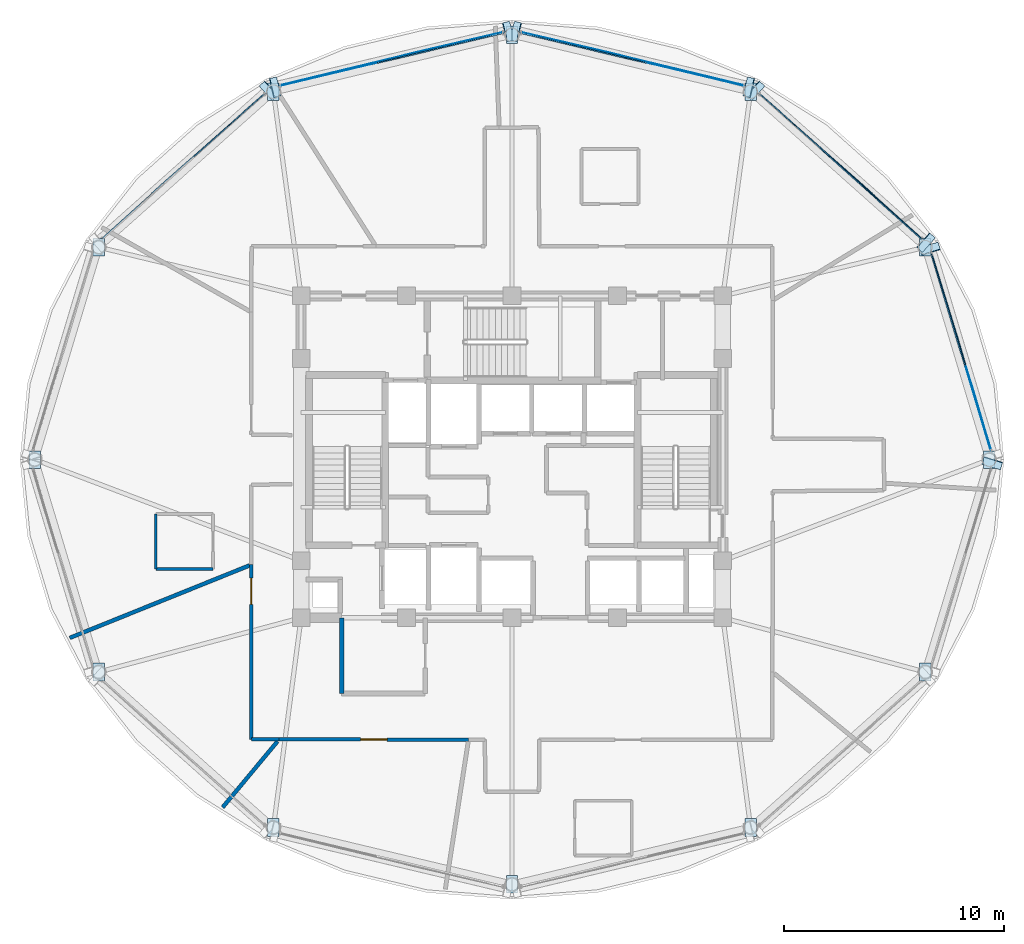
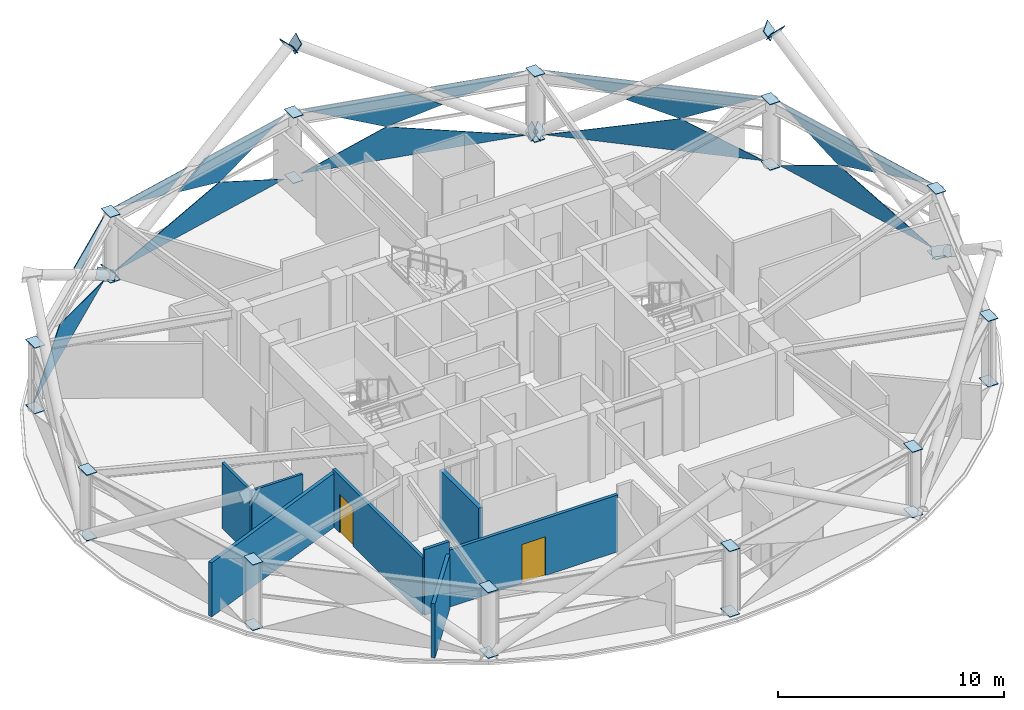
# One storey, part 21 of 28: 47 plates, 8 walls, 2 doors, 2 openings, 5 elements without a shape of their own.
"""IFC4 building model written with IfcOpenShell, lengths in metres."""

from ifc_helpers import new_model, si_unit, direction, frame, frame_2d, origin, place, context, subcontext, project, spatial, polyline, rectangle, outline, extrude, material, layer, layer_set, type_object, element, fill, aggregate, save


model = new_model("IFC4")

# Units and contexts
model_context = context("Model", 3, precision=1e-05, world=origin(), true_north=direction((0.0, 1.0)))
body_context = subcontext(model_context, "Body", "Model", "MODEL_VIEW")
ifc_project = project(units=[si_unit("LENGTHUNIT", "METRE"), si_unit("AREAUNIT", "SQUARE_METRE"), si_unit("VOLUMEUNIT", "CUBIC_METRE"), si_unit("PLANEANGLEUNIT", "RADIAN"), si_unit("MASSUNIT", "GRAM", prefix="KILO")], contexts=[model_context])

# Site, building, storey
site_placement = place(None, origin())
site = spatial("IfcSite", under=ifc_project, at=site_placement, CompositionType="ELEMENT")
building_placement = place(site_placement, origin())
building = spatial("IfcBuilding", under=site, at=building_placement, Name="Vantalir Tower", CompositionType="ELEMENT")
storey_placement = place(building_placement, frame((0.0, 0.0, 242.39990234375)))
storey = spatial("IfcBuildingStorey", under=building, at=storey_placement, Name="L61", CompositionType="ELEMENT", Elevation=242.39990234375)

# Curtain wall, plates
ifc_material_1 = material(Name="Champagne-silver PVDF aluminium and double-silver Low-E glass", Category="aluminium")
ifc_layer_1 = layer(ifc_material_1, 0.2099609375)
ifc_layer_set_1 = layer_set([ifc_layer_1], Name="Champagne-silver PVDF aluminium and double-silver Low-E glass")
curtain_wall_type = type_object("IfcCurtainWallType", Name="CW-DIAMOND-Z3", PredefinedType="USERDEFINED", material=ifc_layer_set_1)
curtain_wall_1_placement = place(storey_placement, origin())
curtain_wall_1 = element("IfcCurtainWall", 1, at=curtain_wall_1_placement, inside=storey, type_object=curtain_wall_type, Name="L61 Quilted Pyramid-Diamond Curtain Wall S01", ObjectType="UNITISED CURTAIN WALL", PredefinedType="USERDEFINED")
ifc_material_2 = material(Name="Double-silver Low-E acoustic glass IGU", Category="glass")
ifc_layer_2 = layer(ifc_material_2, 0.031982421875)
ifc_layer_set_2 = layer_set([ifc_layer_2], Name="Double-silver Low-E acoustic glass IGU")
plate_type_1 = type_object("IfcPlateType", Name="CWP-IGU-32", PredefinedType="CURTAIN_PANEL", material=ifc_layer_set_2)
plate_1_placement = place(storey_placement, frame((53.28564453125, 25.406982421875, 0.046875), z_axis=(-0.957558411208, -0.287910660697, 0.013760108324), x_axis=(-0.287937576685, 0.957649179632, 2.6131008e-05)))
plate_1 = element("IfcPlate", 2, at=plate_1_placement, type_object=plate_type_1, Name="CW-L61-S01 Pyramid Diamond Facet 1L", PredefinedType="CURTAIN_PANEL", context=body_context, shape_type="SweptSolid", body=[
    extrude(outline(polyline([(0.0, 0.0), (9.34294709931114, 6.451002926288751e-18), (5.787888647461052, -1.7255980653286305), (0.0, 0.0)])), origin(), (0.0, 0.0, -1.0), 0.031982421875),
])
plate_2_placement = place(storey_placement, frame((51.85888671875, 30.15185546875, 3.523193359375), z_axis=(0.957555847807, 0.28791614968, 0.013823497544), x_axis=(-0.287943656848, 0.957647351837, -4.22357e-07)))
plate_2 = element("IfcPlate", 3, at=plate_2_placement, type_object=plate_type_1, Name="CW-L61-S01 Pyramid Diamond Facet 2U", PredefinedType="CURTAIN_PANEL", context=body_context, shape_type="SweptSolid", body=[
    extrude(outline(polyline([(0.0, 0.0), (4.388206125820877, 0.0), (0.833103165969358, -1.7257504795506702), (-1.4763615016532823, -1.036966792565529), (0.0, 0.0)])), origin(), (0.0, 0.0, -1.0), 0.031982421875),
])
plate_3_placement = place(storey_placement, frame((53.320068359375, 25.417236328125, 3.52392578125), z_axis=(0.957551688046, 0.287925763323, 0.01391112993), x_axis=(-0.287952812963, 0.957644596799, -6.1058697e-05)))
plate_3 = element("IfcPlate", 4, at=plate_3_placement, type_object=plate_type_1, Name="CW-L61-S01 Pyramid Diamond Facet 2U Infill Light", PredefinedType="CURTAIN_PANEL", context=body_context, shape_type="SweptSolid", body=[
    extrude(outline(polyline([(0.0, 0.0), (3.998457857223988, 4.9060148304969076e-18), (2.8069944527952657, -0.8368236474172214), (0.0, 0.0)])), origin(), (0.0, 0.0, -1.0), 0.031982421875),
])
aggregate(curtain_wall_1, [plate_1, plate_2, plate_3])

curtain_wall_2_placement = place(storey_placement, origin())
curtain_wall_2 = element("IfcCurtainWall", 5, at=curtain_wall_2_placement, inside=storey, type_object=curtain_wall_type, Name="L61 Quilted Pyramid-Diamond Curtain Wall S02", ObjectType="UNITISED CURTAIN WALL", PredefinedType="USERDEFINED")
plate_4_placement = place(storey_placement, frame((50.15576171875, 35.043701171875, 0.046875), z_axis=(-0.665236755959, -0.746508962569, 0.013580402283), x_axis=(-0.74657803322, 0.665297857884, -2.4682713e-05)))
plate_4 = element("IfcPlate", 6, at=plate_4_placement, type_object=plate_type_1, Name="CW-L61-S02 Pyramid Diamond Facet 1L", PredefinedType="CURTAIN_PANEL", context=body_context, shape_type="SweptSolid", body=[
    extrude(outline(polyline([(0.0, 0.0), (9.89115826583857, 6.911788849595091e-18), (3.7592573963852636, -1.7260820430112827), (0.0, 0.0)])), origin(), (0.0, 0.0, -1.0), 0.031982421875),
])
plate_5_placement = place(storey_placement, frame((50.15576171875, 35.043701171875, 3.523193359375), z_axis=(0.665235322889, 0.746510039847, 0.0135913792), x_axis=(-0.7465794727, 0.665296240925, 5.2478898e-05)))
plate_5 = element("IfcPlate", 7, at=plate_5_placement, type_object=plate_type_1, Name="CW-L61-S02 Pyramid Diamond Facet 2U", PredefinedType="CURTAIN_PANEL", context=body_context, shape_type="SweptSolid", body=[
    extrude(outline(polyline([(0.0, 0.0), (4.655335336477255, 2.087089182034596e-18), (6.209705968375989, -1.036310272759057), (3.759209370107837, -1.7261866362091731), (0.0, 0.0)])), origin(), (0.0, 0.0, -1.0), 0.031982421875),
])
plate_6_placement = place(storey_placement, frame((45.964599609375, 38.826904296875, 3.52392578125), z_axis=(0.665216190207, 0.746528058547, 0.013538023812), x_axis=(-0.74659647907, 0.665277158364, 0.0)))
plate_6 = element("IfcPlate", 8, at=plate_6_placement, type_object=plate_type_1, Name="CW-L61-S02 Pyramid Diamond Facet 2U Infill Light", PredefinedType="CURTAIN_PANEL", context=body_context, shape_type="SweptSolid", body=[
    extrude(outline(polyline([(0.0, 0.0), (4.245176186336982, -6.938893903907228e-18), (1.260274609826118, -0.8401648860603244), (0.0, 0.0)])), origin(), (0.0, 0.0, -1.0), 0.031982421875),
])
aggregate(curtain_wall_2, [plate_4, plate_5, plate_6])

curtain_wall_3_placement = place(storey_placement, origin())
curtain_wall_3 = element("IfcCurtainWall", 9, at=curtain_wall_3_placement, inside=storey, type_object=curtain_wall_type, Name="L61 Quilted Pyramid-Diamond Curtain Wall S03", ObjectType="UNITISED CURTAIN WALL", PredefinedType="USERDEFINED")
plate_7_placement = place(storey_placement, frame((42.040771484375, 42.005615234375, 0.046630859375), z_axis=(-0.23227086659, -0.972552131401, 0.013877904746), x_axis=(-0.972645724011, 0.232293553536, 2.3447416e-05)))
plate_7 = element("IfcPlate", 10, at=plate_7_placement, type_object=plate_type_1, Name="CW-L61-S03 Pyramid Diamond Facet 1L", PredefinedType="CURTAIN_PANEL", context=body_context, shape_type="SweptSolid", body=[
    extrude(outline(polyline([(0.0, 0.0), (10.412261274836561, 3.848917712323541e-18), (6.450611114639487, -1.7263333603476525), (0.0, 0.0)])), origin(), (0.0, 0.0, -1.0), 0.031982421875),
])
plate_8_placement = place(storey_placement, frame((36.687744140625, 43.2841796875, 3.5234375), z_axis=(0.232279752115, 0.972551025967, 0.013806471207), x_axis=(-0.972643573147, 0.232302555274, -4.9281204e-05)))
plate_8 = element("IfcPlate", 11, at=plate_8_placement, type_object=plate_type_1, Name="CW-L61-S03 Pyramid Diamond Facet 2U", PredefinedType="CURTAIN_PANEL", context=body_context, shape_type="SweptSolid", body=[
    extrude(outline(polyline([(0.0, 0.0), (4.908659838593074, -1.0028870095490916e-18), (0.9470544830238101, -1.7261920789018128), (-1.630376010507735, -1.036553863272926), (0.0, 0.0)])), origin(), (0.0, 0.0, -1.0), 0.031982421875),
])
plate_9_placement = place(storey_placement, frame((42.049072265625, 42.040771484375, 3.524169921875), z_axis=(0.232238884957, 0.972561469462, 0.013758213241), x_axis=(-0.972653354205, 0.232261597303, -5.4508706e-05)))
plate_9 = element("IfcPlate", 12, at=plate_9_placement, type_object=plate_type_1, Name="CW-L61-S03 Pyramid Diamond Facet 2U Infill Light", PredefinedType="CURTAIN_PANEL", context=body_context, shape_type="SweptSolid", body=[
    extrude(outline(polyline([(0.0, 0.0), (4.478928997328701, -2.2768245622195593e-18), (3.152174458274375, -0.843658031433572), (0.0, 0.0)])), origin(), (0.0, 0.0, -1.0), 0.031982421875),
])
aggregate(curtain_wall_3, [plate_7, plate_8, plate_9])

curtain_wall_4_placement = place(storey_placement, origin())
curtain_wall_4 = element("IfcCurtainWall", 13, at=curtain_wall_4_placement, inside=storey, type_object=curtain_wall_type, Name="L61 Quilted Pyramid-Diamond Curtain Wall S04", ObjectType="UNITISED CURTAIN WALL", PredefinedType="USERDEFINED")
plate_10_placement = place(storey_placement, frame((31.086669921875, 44.42431640625, 0.046875), z_axis=(0.23227086659, -0.972552131401, 0.013877904746), x_axis=(-0.972645724011, -0.232293553536, -2.3447416e-05)))
plate_10 = element("IfcPlate", 14, at=plate_10_placement, type_object=plate_type_1, Name="CW-L61-S04 Pyramid Diamond Facet 1L", PredefinedType="CURTAIN_PANEL", context=body_context, shape_type="SweptSolid", body=[
    extrude(outline(polyline([(0.0, 0.0), (10.412261274836561, -3.848917712323541e-18), (3.9616501601970775, -1.7263333603476525), (0.0, 0.0)])), origin(), (0.0, 0.0, -1.0), 0.031982421875),
])
plate_11_placement = place(storey_placement, frame((31.086669921875, 44.42431640625, 3.523193359375), z_axis=(-0.232279752115, 0.972551025967, 0.013806471207), x_axis=(-0.972643573147, -0.232302555274, 4.9281204e-05)))
plate_11 = element("IfcPlate", 15, at=plate_11_placement, type_object=plate_type_1, Name="CW-L61-S04 Pyramid Diamond Facet 2U", PredefinedType="CURTAIN_PANEL", context=body_context, shape_type="SweptSolid", body=[
    extrude(outline(polyline([(0.0, 0.0), (4.908659838593074, 1.0028870095490916e-18), (6.539035849100809, -1.0365538632729259), (3.961605355569264, -1.7261920789018128), (0.0, 0.0)])), origin(), (0.0, 0.0, -1.0), 0.031982421875),
])
plate_12_placement = place(storey_placement, frame((25.307373046875, 43.0810546875, 3.52392578125), z_axis=(-0.232238884957, 0.972561469462, 0.013758213241), x_axis=(-0.972653354205, -0.232261597303, 5.4508706e-05)))
plate_12 = element("IfcPlate", 16, at=plate_12_placement, type_object=plate_type_1, Name="CW-L61-S04 Pyramid Diamond Facet 2U Infill Light", PredefinedType="CURTAIN_PANEL", context=body_context, shape_type="SweptSolid", body=[
    extrude(outline(polyline([(0.0, 0.0), (4.478928997328701, 2.2768245622195593e-18), (1.3267545390543256, -0.843658031433572), (0.0, 0.0)])), origin(), (0.0, 0.0, -1.0), 0.031982421875),
])
aggregate(curtain_wall_4, [plate_10, plate_11, plate_12])

curtain_wall_5_placement = place(storey_placement, origin())
curtain_wall_5 = element("IfcCurtainWall", 17, at=curtain_wall_5_placement, inside=storey, type_object=curtain_wall_type, Name="L61 Quilted Pyramid-Diamond Curtain Wall S05", ObjectType="UNITISED CURTAIN WALL", PredefinedType="USERDEFINED")
plate_13_placement = place(storey_placement, frame((20.228759765625, 41.624267578125, 0.046630859375), z_axis=(0.665236755959, -0.746508962569, 0.013580402283), x_axis=(-0.74657803322, -0.665297857884, 2.4682713e-05)))
plate_13 = element("IfcPlate", 18, at=plate_13_placement, type_object=plate_type_1, Name="CW-L61-S05 Pyramid Diamond Facet 1L", PredefinedType="CURTAIN_PANEL", context=body_context, shape_type="SweptSolid", body=[
    extrude(outline(polyline([(0.0, 0.0), (9.89115826583857, -6.911788849595091e-18), (6.131900869453306, -1.7260820430112827), (0.0, 0.0)])), origin(), (0.0, 0.0, -1.0), 0.031982421875),
])
plate_14_placement = place(storey_placement, frame((20.204833984375, 41.651123046875, 3.52392578125), z_axis=(-0.665216190207, 0.746528058547, 0.013538023812), x_axis=(-0.74659647907, -0.665277158364, 0.0)))
plate_14 = element("IfcPlate", 19, at=plate_14_placement, type_object=plate_type_1, Name="CW-L61-S05 Pyramid Diamond Facet 2U Infill Light", PredefinedType="CURTAIN_PANEL", context=body_context, shape_type="SweptSolid", body=[
    extrude(outline(polyline([(0.0, 0.0), (4.245176186336982, 6.938893903907228e-18), (2.9849015765108637, -0.8401648860603244), (0.0, 0.0)])), origin(), (0.0, 0.0, -1.0), 0.031982421875),
])
aggregate(curtain_wall_5, [plate_13, plate_14])

# Plates
ifc_material_3 = material(Name="Steel S460", Category="steel")
ifc_layer_3 = layer(ifc_material_3, 0.035888671875)
ifc_layer_set_3 = layer_set([ifc_layer_3], Name="Steel S460")
plate_type_2 = type_object("IfcPlateType", Name="PLT-KN-Z2", PredefinedType="USERDEFINED", material=ifc_layer_set_3)
plate_15_placement = place(storey_placement, frame((50.8916015625, 34.89697265625, 6.892333984375), z_axis=(-0.235621882188, 0.783590305696, 0.574863950386), x_axis=(-0.957642842649, -0.287958653149, 0.0)))
element("IfcPlate", 20, at=plate_15_placement, inside=storey, type_object=plate_type_2, Name="Node Cap Plate MEM-DG-L61-R01L End", ObjectType="FLANGE_PLATE", PredefinedType="USERDEFINED", context=body_context, shape_type="SweptSolid", body=[
    extrude(outline(polyline([(0.0, 0.0), (0.8800498473614676, 2.7755575615628914e-17), (0.8801221816284537, 0.5800304926170371), (7.233426698608567e-05, 0.5800304926170371), (0.0, 0.0)])), origin(), (0.0, 0.0, -1.0), 0.035888671875),
])
plate_16_placement = place(storey_placement, frame((52.885009765625, 24.788330078125, -0.026123046875), z_axis=(-0.23564497448, -0.783553592888, 0.574904525183), x_axis=(0.957627534861, -0.28800955561, -1.8796288e-05)))
element("IfcPlate", 21, at=plate_16_placement, inside=storey, type_object=plate_type_2, Name="Node Cap Plate MEM-DG-L61-R01R Start", ObjectType="FLANGE_PLATE", PredefinedType="USERDEFINED", context=body_context, shape_type="SweptSolid", body=[
    extrude(outline(polyline([(0.0, 0.0), (0.8798160501778869, -2.7755575615628914e-17), (0.8799508670757133, 0.580070915880301), (-9.897888705165117e-05, 0.5800304879689937), (0.0, 0.0)])), origin(), (0.0, 0.0, -1.0), 0.035888671875),
])
plate_17_placement = place(storey_placement, frame((42.2177734375, 42.415771484375, -0.042236328125), z_axis=(-0.820862900959, 0.196084620523, 0.536409283498), x_axis=(-0.232301556401, -0.972643811044, 6.1078562e-05)))
element("IfcPlate", 22, at=plate_17_placement, inside=storey, type_object=plate_type_2, Name="Node Cap Plate MEM-DG-L61-R07L Start", ObjectType="FLANGE_PLATE", PredefinedType="USERDEFINED", context=body_context, shape_type="SweptSolid", body=[
    extrude(outline(polyline([(0.0, 0.0), (0.8800111338450922, 0.0), (0.8800607925864183, 0.5799438007733532), (-7.0555058421662525e-06, 0.5800711804477545), (0.0, 0.0)])), origin(), (0.0, 0.0, -1.0), 0.035888671875),
])
plate_18_placement = place(storey_placement, frame((31.6083984375, 44.949462890625, 6.892333984375), z_axis=(-0.820799205877, 0.195952348922, 0.536555067615), x_axis=(-0.232208086854, -0.972666132031, 0.0)))
element("IfcPlate", 23, at=plate_18_placement, inside=storey, type_object=plate_type_2, Name="Node Cap Plate MEM-DG-L61-R07L End", ObjectType="FLANGE_PLATE", PredefinedType="USERDEFINED", context=body_context, shape_type="SweptSolid", body=[
    extrude(outline(polyline([(0.0, 0.0), (0.8800111395499287, 0.0), (0.8800040954538053, 0.5800711891025546), (-7.0440961233847466e-06, 0.5800711891025546), (0.0, 0.0)])), origin(), (0.0, 0.0, -1.0), 0.035888671875),
])
plate_19_placement = place(storey_placement, frame((42.423095703125, 41.34521484375, -0.03466796875), z_axis=(0.621082817817, -0.553458415877, 0.55492334183), x_axis=(0.665293215937, 0.746582170178, 0.0)))
element("IfcPlate", 24, at=plate_19_placement, inside=storey, type_object=plate_type_2, Name="Node Cap Plate MEM-DG-L61-R07R Start", ObjectType="FLANGE_PLATE", PredefinedType="USERDEFINED", context=body_context, shape_type="SweptSolid", body=[
    extrude(outline(polyline([(0.0, 0.0), (0.8799867558024528, 0.0), (0.8800121558913103, 0.5799026475163249), (2.5400088857457925e-05, 0.5799026475163249), (0.0, 0.0)])), origin(), (0.0, 0.0, -1.0), 0.035888671875),
])
plate_20_placement = place(storey_placement, frame((50.18115234375, 34.431884765625, 6.892333984375), z_axis=(0.621276036178, -0.553630596342, 0.5545351654), x_axis=(0.665293215937, 0.746582170178, 0.0)))
element("IfcPlate", 25, at=plate_20_placement, inside=storey, type_object=plate_type_2, Name="Node Cap Plate MEM-DG-L61-R07R End", ObjectType="FLANGE_PLATE", PredefinedType="USERDEFINED", context=body_context, shape_type="SweptSolid", body=[
    extrude(outline(polyline([(0.0, 0.0), (0.8799867558024528, 0.0), (0.8798298848536692, 0.580015678108462), (-0.00015687094878367904, 0.580015678108462), (0.0, 0.0)])), origin(), (0.0, 0.0, -1.0), 0.035888671875),
])
plate_21_placement = place(storey_placement, frame((19.991455078125, 42.002197265625, -0.03466796875), z_axis=(-0.621082817817, -0.553458415877, 0.55492334183), x_axis=(0.665293215937, -0.746582170178, 0.0)))
element("IfcPlate", 26, at=plate_21_placement, inside=storey, type_object=plate_type_2, Name="Node Cap Plate MEM-DG-L61-R13L Start", ObjectType="FLANGE_PLATE", PredefinedType="USERDEFINED", context=body_context, shape_type="SweptSolid", body=[
    extrude(outline(polyline([(0.0, 0.0), (0.8799867558024528, 0.0), (0.8799613557135955, 0.5799026475163249), (-2.5400088857457925e-05, 0.5799026475163249), (0.0, 0.0)])), origin(), (0.0, 0.0, -1.0), 0.035888671875),
])
plate_22_placement = place(storey_placement, frame((20.986572265625, 41.559814453125, -0.042236328125), z_axis=(0.820862900959, 0.196084620523, 0.536409283498), x_axis=(-0.232301556401, 0.972643811044, -6.1078562e-05)))
element("IfcPlate", 27, at=plate_22_placement, inside=storey, type_object=plate_type_2, Name="Node Cap Plate MEM-DG-L61-R13R Start", ObjectType="FLANGE_PLATE", PredefinedType="USERDEFINED", context=body_context, shape_type="SweptSolid", body=[
    extrude(outline(polyline([(0.0, 0.0), (0.8800111338450922, 0.0), (0.8800181893509343, 0.5800711804477545), (-4.9658741326146714e-05, 0.5799438007733532), (0.0, 0.0)])), origin(), (0.0, 0.0, -1.0), 0.035888671875),
])
plate_23_placement = place(storey_placement, frame((31.595947265625, 44.093505859375, 6.892333984375), z_axis=(0.820799205877, 0.195952348922, 0.536555067615), x_axis=(-0.232208086854, 0.972666132031, 0.0)))
element("IfcPlate", 28, at=plate_23_placement, inside=storey, type_object=plate_type_2, Name="Node Cap Plate MEM-DG-L61-R13R End", ObjectType="FLANGE_PLATE", PredefinedType="USERDEFINED", context=body_context, shape_type="SweptSolid", body=[
    extrude(outline(polyline([(0.0, 0.0), (0.8800111395499287, 0.0), (0.8800181836460521, 0.5800711891025546), (7.0440961233847466e-06, 0.5800711891025546), (0.0, 0.0)])), origin(), (0.0, 0.0, -1.0), 0.035888671875),
])
ifc_layer_4 = layer(ifc_material_3, 0.031982421875)
ifc_layer_set_4 = layer_set([ifc_layer_4], Name="Steel S460")
plate_type_3 = type_object("IfcPlateType", Name="PLT-KN-Z3", PredefinedType="USERDEFINED", material=ifc_layer_set_4)
for number, where, z_axis, x_axis, name in (
    (29, (52.9580078125, 25.39990234375, 3.593994140625), (0.0, 0.0, 1.0), (0.0, -1.0, 0.0), "L61 Ring Column Top Cap RC01"),
    (30, (52.9580078125, 25.39990234375, 0.052978515625), (0.0, 0.0, 1.0), (0.0, -1.0, 0.0), "L61 Ring Column Base Cap RC01"),
    (31, (50.048095703125, 35.06591796875, 3.593994140625), (0.0, 0.0, 1.0), (0.0, -1.0, 0.0), "L61 Ring Column Top Cap RC02"),
    (32, (50.048095703125, 35.06591796875, 0.052978515625), (0.0, 0.0, 1.0), (0.0, -1.0, 0.0), "L61 Ring Column Base Cap RC02"),
):
    element("IfcPlate", number, at=place(storey_placement, frame(where, z_axis=z_axis, x_axis=x_axis)), inside=storey, type_object=plate_type_3, Name=name, ObjectType="FLANGE_PLATE", PredefinedType="USERDEFINED", context=body_context, shape_type="SweptSolid", body=[
        extrude(outline(polyline([(0.0, 0.0), (0.7998046875, 0.0), (0.7998046875, 0.52001953125), (0.0, 0.52001953125), (0.0, 0.0)])), origin(), (0.0, 0.0, -1.0), 0.031982421875),
    ])
for number, where, z_axis, x_axis, name in (
    (33, (42.09912109375, 42.14306640625, 3.593994140625), (0.0, 0.0, 1.0), (0.0, -1.0, 0.0), "L61 Ring Column Top Cap RC03"),
    (34, (42.09912109375, 42.14306640625, 0.052978515625), (0.0, 0.0, 1.0), (0.0, -1.0, 0.0), "L61 Ring Column Base Cap RC03"),
):
    element("IfcPlate", number, at=place(storey_placement, frame(where, z_axis=z_axis, x_axis=x_axis)), inside=storey, type_object=plate_type_3, Name=name, ObjectType="FLANGE_PLATE", PredefinedType="USERDEFINED", context=body_context, shape_type="SweptSolid", body=[
        extrude(outline(polyline([(0.0, 0.0), (0.800048828125, 0.0), (0.800048828125, 0.519775390625), (0.0, 0.519775390625), (0.0, 0.0)])), origin(), (0.0, 0.0, -1.0), 0.031982421875),
    ])
for number, where, z_axis, x_axis, name in (
    (35, (31.239990234375, 44.73291015625, 3.593994140625), (0.0, 0.0, 1.0), (0.0, -1.0, 0.0), "L61 Ring Column Top Cap RC04"),
    (36, (31.239990234375, 44.73291015625, 0.052978515625), (0.0, 0.0, 1.0), (0.0, -1.0, 0.0), "L61 Ring Column Base Cap RC04"),
):
    element("IfcPlate", number, at=place(storey_placement, frame(where, z_axis=z_axis, x_axis=x_axis)), inside=storey, type_object=plate_type_3, Name=name, ObjectType="FLANGE_PLATE", PredefinedType="USERDEFINED", context=body_context, shape_type="SweptSolid", body=[
        extrude(outline(polyline([(0.0, 0.0), (0.7998046875, 0.0), (0.7998046875, 0.52001953125), (0.0, 0.52001953125), (0.0, 0.0)])), origin(), (0.0, 0.0, -1.0), 0.031982421875),
    ])
for number, where, z_axis, x_axis, name in (
    (37, (20.381103515625, 42.14306640625, 3.593994140625), (0.0, 0.0, 1.0), (0.0, -1.0, 0.0), "L61 Ring Column Top Cap RC05"),
    (38, (20.381103515625, 42.14306640625, 0.052978515625), (0.0, 0.0, 1.0), (0.0, -1.0, 0.0), "L61 Ring Column Base Cap RC05"),
):
    element("IfcPlate", number, at=place(storey_placement, frame(where, z_axis=z_axis, x_axis=x_axis)), inside=storey, type_object=plate_type_3, Name=name, ObjectType="FLANGE_PLATE", PredefinedType="USERDEFINED", context=body_context, shape_type="SweptSolid", body=[
        extrude(outline(polyline([(0.0, 0.0), (0.800048828125, 0.0), (0.800048828125, 0.519775390625), (0.0, 0.519775390625), (0.0, 0.0)])), origin(), (0.0, 0.0, -1.0), 0.031982421875),
    ])
for number, where, z_axis, x_axis, name in (
    (39, (12.431884765625, 35.06591796875, 3.593994140625), (0.0, 0.0, 1.0), (0.0, -1.0, 0.0), "L61 Ring Column Top Cap RC06"),
    (40, (12.431884765625, 35.06591796875, 0.052978515625), (0.0, 0.0, 1.0), (0.0, -1.0, 0.0), "L61 Ring Column Base Cap RC06"),
    (41, (9.52197265625, 25.39990234375, 3.593994140625), (0.0, 0.0, 1.0), (0.0, -1.0, 0.0), "L61 Ring Column Top Cap RC07"),
    (42, (9.52197265625, 25.39990234375, 0.052978515625), (0.0, 0.0, 1.0), (0.0, -1.0, 0.0), "L61 Ring Column Base Cap RC07"),
    (43, (12.431884765625, 15.73291015625, 3.593994140625), (0.0, 0.0, 1.0), (0.0, -1.0, 0.0), "L61 Ring Column Top Cap RC08"),
    (44, (12.431884765625, 15.73291015625, 0.052978515625), (0.0, 0.0, 1.0), (0.0, -1.0, 0.0), "L61 Ring Column Base Cap RC08"),
):
    element("IfcPlate", number, at=place(storey_placement, frame(where, z_axis=z_axis, x_axis=x_axis)), inside=storey, type_object=plate_type_3, Name=name, ObjectType="FLANGE_PLATE", PredefinedType="USERDEFINED", context=body_context, shape_type="SweptSolid", body=[
        extrude(outline(polyline([(0.0, 0.0), (0.7998046875, 0.0), (0.7998046875, 0.52001953125), (0.0, 0.52001953125), (0.0, 0.0)])), origin(), (0.0, 0.0, -1.0), 0.031982421875),
    ])
for number, where, z_axis, x_axis, name in (
    (45, (20.381103515625, 8.656982421875, 3.593994140625), (0.0, 0.0, 1.0), (0.0, -1.0, 0.0), "L61 Ring Column Top Cap RC09"),
    (46, (20.381103515625, 8.656982421875, 0.052978515625), (0.0, 0.0, 1.0), (0.0, -1.0, 0.0), "L61 Ring Column Base Cap RC09"),
):
    element("IfcPlate", number, at=place(storey_placement, frame(where, z_axis=z_axis, x_axis=x_axis)), inside=storey, type_object=plate_type_3, Name=name, ObjectType="FLANGE_PLATE", PredefinedType="USERDEFINED", context=body_context, shape_type="SweptSolid", body=[
        extrude(outline(polyline([(0.0, 0.0), (0.800048828125, 0.0), (0.800048828125, 0.519775390625), (0.0, 0.519775390625), (0.0, 0.0)])), origin(), (0.0, 0.0, -1.0), 0.031982421875),
    ])
for number, where, z_axis, x_axis, name in (
    (47, (31.239990234375, 6.06689453125, 3.593994140625), (0.0, 0.0, 1.0), (0.0, -1.0, 0.0), "L61 Ring Column Top Cap RC10"),
    (48, (31.239990234375, 6.06689453125, 0.052978515625), (0.0, 0.0, 1.0), (0.0, -1.0, 0.0), "L61 Ring Column Base Cap RC10"),
):
    element("IfcPlate", number, at=place(storey_placement, frame(where, z_axis=z_axis, x_axis=x_axis)), inside=storey, type_object=plate_type_3, Name=name, ObjectType="FLANGE_PLATE", PredefinedType="USERDEFINED", context=body_context, shape_type="SweptSolid", body=[
        extrude(outline(polyline([(0.0, 0.0), (0.7998046875, 0.0), (0.7998046875, 0.52001953125), (0.0, 0.52001953125), (0.0, 0.0)])), origin(), (0.0, 0.0, -1.0), 0.031982421875),
    ])
for number, where, z_axis, x_axis, name in (
    (49, (42.09912109375, 8.656982421875, 3.593994140625), (0.0, 0.0, 1.0), (0.0, -1.0, 0.0), "L61 Ring Column Top Cap RC11"),
    (50, (42.09912109375, 8.656982421875, 0.052978515625), (0.0, 0.0, 1.0), (0.0, -1.0, 0.0), "L61 Ring Column Base Cap RC11"),
):
    element("IfcPlate", number, at=place(storey_placement, frame(where, z_axis=z_axis, x_axis=x_axis)), inside=storey, type_object=plate_type_3, Name=name, ObjectType="FLANGE_PLATE", PredefinedType="USERDEFINED", context=body_context, shape_type="SweptSolid", body=[
        extrude(outline(polyline([(0.0, 0.0), (0.800048828125, 0.0), (0.800048828125, 0.519775390625), (0.0, 0.519775390625), (0.0, 0.0)])), origin(), (0.0, 0.0, -1.0), 0.031982421875),
    ])
for number, where, z_axis, x_axis, name in (
    (51, (50.048095703125, 15.73291015625, 3.593994140625), (0.0, 0.0, 1.0), (0.0, -1.0, 0.0), "L61 Ring Column Top Cap RC12"),
    (52, (50.048095703125, 15.73291015625, 0.052978515625), (0.0, 0.0, 1.0), (0.0, -1.0, 0.0), "L61 Ring Column Base Cap RC12"),
):
    element("IfcPlate", number, at=place(storey_placement, frame(where, z_axis=z_axis, x_axis=x_axis)), inside=storey, type_object=plate_type_3, Name=name, ObjectType="FLANGE_PLATE", PredefinedType="USERDEFINED", context=body_context, shape_type="SweptSolid", body=[
        extrude(outline(polyline([(0.0, 0.0), (0.7998046875, 0.0), (0.7998046875, 0.52001953125), (0.0, 0.52001953125), (0.0, 0.0)])), origin(), (0.0, 0.0, -1.0), 0.031982421875),
    ])

# Walls
ifc_material_4 = material(Name="Moisture-resistant en-suite partition", Category="gypsum")
ifc_layer_5 = layer(ifc_material_4, 0.125)
ifc_layer_set_5 = layer_set([ifc_layer_5], Name="Moisture-resistant en-suite partition")
wall_type_1 = type_object("IfcWallType", Name="WL-BATH-125", PredefinedType="PARTITIONING", material=ifc_layer_set_5)
wall_1_placement = place(storey_placement, frame((15.2900390625, 20.02587890625, 0.0), z_axis=(0.0, 0.0, 1.0), x_axis=(1.0, 0.0, 0.0)))
element("IfcWall", 53, at=wall_1_placement, inside=storey, type_object=wall_type_1, Name="L61 En-suite 04 South Wall", PredefinedType="PARTITIONING", context=body_context, shape_type="SweptSolid", body=[
    extrude(rectangle(XDim=2.599853515625, YDim=0.125, at=frame_2d((1.2998046875, 0.0))), origin(), (0.0, 0.0, 1.0), 3.550048828125),
])
wall_2_placement = place(storey_placement, frame((15.2900390625, 20.02587890625, 0.0), z_axis=(0.0, 0.0, 1.0), x_axis=(0.0, 1.0, 0.0)))
element("IfcWall", 54, at=wall_2_placement, inside=storey, type_object=wall_type_1, Name="L61 En-suite 04 West Wall", PredefinedType="PARTITIONING", context=body_context, shape_type="SweptSolid", body=[
    extrude(rectangle(XDim=2.5, YDim=0.125, at=frame_2d((1.25, 0.0))), origin(), (0.0, 0.0, 1.0), 3.550048828125),
])

# Wall, opening, door
ifc_material_5 = material(Name="Fire-rated hotel corridor acoustic partition", Category="gypsum")
ifc_layer_6 = layer(ifc_material_5, 0.159912109375)
ifc_layer_set_6 = layer_set([ifc_layer_6], Name="Fire-rated hotel corridor acoustic partition")
wall_type_2 = type_object("IfcWallType", Name="WL-CORR-160", PredefinedType="PARTITIONING", material=ifc_layer_set_6)
wall_3_placement = place(storey_placement, frame((29.52099609375, 12.2509765625, 0.0), z_axis=(0.0, 0.0, 1.0), x_axis=(-0.999997801115, 0.002097084968, 0.0)))
wall_3 = element("IfcWall", 55, at=wall_3_placement, inside=storey, type_object=wall_type_2, Name="L61 Corridor Partition 23", PredefinedType="PARTITIONING", context=body_context, shape_type="SweptSolid", body=[
    extrude(rectangle(XDim=8.614990234375, YDim=0.159912109375, at=frame_2d((4.3076171875, 0.0))), origin(), (0.0, 0.0, 1.0), 3.0810546875),
])
opening_1_placement = place(wall_3_placement, frame((3.7080078125, 0.0, 0.0)))
opening_1 = element("IfcOpeningElement", 56, at=opening_1_placement, cuts=wall_3, Name="Opening D-STE", PredefinedType="OPENING", context=body_context, shape_type="SweptSolid", body=[
    extrude(rectangle(XDim=1.199951171875, YDim=2.10009765625, at=frame_2d((0.60009765625, 1.050048828125))), frame((0.0, 0.08984375, 0.0), z_axis=(0.0, -1.0, 0.0), x_axis=(1.0, 0.0, 0.0)), (0.0, 0.0, 1.0), 0.179931640625),
])
ifc_material_6 = material(Name="Solid-core teak veneer suite entrance door", Category="wood")
door_type = type_object("IfcDoorType", Name="DR-SUITE-ENTRY-1200", OperationType="NOTDEFINED", PredefinedType="DOOR", material=ifc_material_6)
door_1_placement = place(opening_1_placement, origin())
door_1 = element("IfcDoor", 57, at=door_1_placement, inside=storey, type_object=door_type, Name="L61 Executive Sky Boardroom 06 Door", OperationType="SINGLE_SWING_RIGHT", OverallHeight=2.10009765625, OverallWidth=1.199951171875, PredefinedType="DOOR", context=body_context, shape_type="SweptSolid", body=[
    extrude(rectangle(XDim=1.199951171875, YDim=2.10009765625, at=frame_2d((0.60009765625, 1.050048828125))), frame((0.0, 0.02490234375, 0.0), z_axis=(0.0, -1.0, 0.0), x_axis=(1.0, 0.0, 0.0)), (0.0, 0.0, 1.0), 0.050048828125),
])
fill(opening_1, door_1)

# Wall
wall_4_placement = place(storey_placement, frame((20.906005859375, 12.26904296875, 0.0), z_axis=(0.0, 0.0, 1.0), x_axis=(-0.999998810172, 0.001542612897, 0.0)))
element("IfcWall", 58, at=wall_4_placement, inside=storey, type_object=wall_type_2, Name="L61 Corridor Partition 24", PredefinedType="PARTITIONING", context=body_context, shape_type="SweptSolid", body=[
    extrude(rectangle(XDim=1.26611328125, YDim=0.159912109375, at=frame_2d((0.633056640625, 0.0))), origin(), (0.0, 0.0, 1.0), 3.550048828125),
])

# Wall, opening, door
wall_5_placement = place(storey_placement, frame((19.639892578125, 12.27099609375, 0.0), z_axis=(0.0, 0.0, 1.0), x_axis=(-0.000368697551, 0.999999932031, 0.0)))
wall_5 = element("IfcWall", 59, at=wall_5_placement, inside=storey, type_object=wall_type_2, Name="L61 Corridor Partition 25", PredefinedType="PARTITIONING", context=body_context, shape_type="SweptSolid", body=[
    extrude(rectangle(XDim=7.946044921875, YDim=0.159912109375, at=frame_2d((3.97314453125, 0.0))), origin(), (0.0, 0.0, 1.0), 3.0810546875),
])
opening_2_placement = place(wall_5_placement, frame((6.137939453125, 0.0, 0.0)))
opening_2 = element("IfcOpeningElement", 60, at=opening_2_placement, cuts=wall_5, Name="Opening D-STE", PredefinedType="OPENING", context=body_context, shape_type="SweptSolid", body=[
    extrude(rectangle(XDim=1.199951171875, YDim=2.10009765625, at=frame_2d((0.60009765625, 1.050048828125))), frame((0.0, 0.08984375, 0.0), z_axis=(0.0, -1.0, 0.0), x_axis=(1.0, 0.0, 0.0)), (0.0, 0.0, 1.0), 0.179931640625),
])
door_2_placement = place(opening_2_placement, origin())
door_2 = element("IfcDoor", 61, at=door_2_placement, inside=storey, type_object=door_type, Name="L61 Club Reading Lounge 05 Door", OperationType="SINGLE_SWING_LEFT", OverallHeight=2.10009765625, OverallWidth=1.199951171875, PredefinedType="DOOR", context=body_context, shape_type="SweptSolid", body=[
    extrude(rectangle(XDim=1.199951171875, YDim=2.10009765625, at=frame_2d((0.60009765625, 1.050048828125))), frame((0.0, 0.02490234375, 0.0), z_axis=(0.0, -1.0, 0.0), x_axis=(1.0, 0.0, 0.0)), (0.0, 0.0, 1.0), 0.050048828125),
])
fill(opening_2, door_2)

# Walls
ifc_material_7 = material(Name="Concrete blockwork with fireboard lining", Category="masonry")
ifc_layer_7 = layer(ifc_material_7, 0.219970703125)
ifc_layer_set_7 = layer_set([ifc_layer_7], Name="Concrete blockwork with fireboard lining")
wall_type_3 = type_object("IfcWallType", Name="WL-FFL-220", PredefinedType="PARTITIONING", material=ifc_layer_set_7)
wall_6_placement = place(storey_placement, frame((23.75, 14.35009765625, 0.0), z_axis=(0.0, 0.0, 1.0), x_axis=(0.0, 1.0, 0.0)))
element("IfcWall", 62, at=wall_6_placement, inside=storey, type_object=wall_type_3, Name="L61 Firefighting Lobby West Outer W", PredefinedType="PARTITIONING", context=body_context, shape_type="SweptSolid", body=[
    extrude(rectangle(XDim=3.449951171875, YDim=0.219970703125, at=frame_2d((1.72509765625, 0.0))), origin(), (0.0, 0.0, 1.0), 3.0810546875),
])
ifc_material_8 = material(Name="Twin-stud acoustic fire-rated gypsum partition", Category="gypsum")
ifc_layer_8 = layer(ifc_material_8, 0.179931640625)
ifc_layer_set_8 = layer_set([ifc_layer_8], Name="Twin-stud acoustic fire-rated gypsum partition")
wall_type_4 = type_object("IfcWallType", Name="WL-GUEST-180", PredefinedType="PARTITIONING", material=ifc_layer_set_8)
wall_7_placement = place(storey_placement, frame((19.56005859375, 20.18603515625, 0.0), z_axis=(0.0, 0.0, 1.0), x_axis=(-0.927433425778, -0.37398828959, 0.0)))
element("IfcWall", 63, at=wall_7_placement, inside=storey, type_object=wall_type_4, Name="L61 Radial Suite Partition 05", PredefinedType="PARTITIONING", context=body_context, shape_type="SweptSolid", body=[
    extrude(rectangle(XDim=8.82666015625, YDim=0.179931640625, at=frame_2d((4.413330078125, 0.0))), origin(), (0.0, 0.0, 1.0), 2.925048828125),
])
wall_8_placement = place(storey_placement, frame((20.827880859375, 12.175048828125, 0.0), z_axis=(0.0, 0.0, 1.0), x_axis=(-0.639631003839, -0.768682105248, 0.0)))
element("IfcWall", 64, at=wall_8_placement, inside=storey, type_object=wall_type_4, Name="L61 Radial Suite Partition 06", PredefinedType="PARTITIONING", context=body_context, shape_type="SweptSolid", body=[
    extrude(rectangle(XDim=3.906494140625, YDim=0.179931640625, at=frame_2d((1.953125, 0.0))), origin(), (0.0, 0.0, 1.0), 2.925048828125),
])

save(model, "model.ifc")
